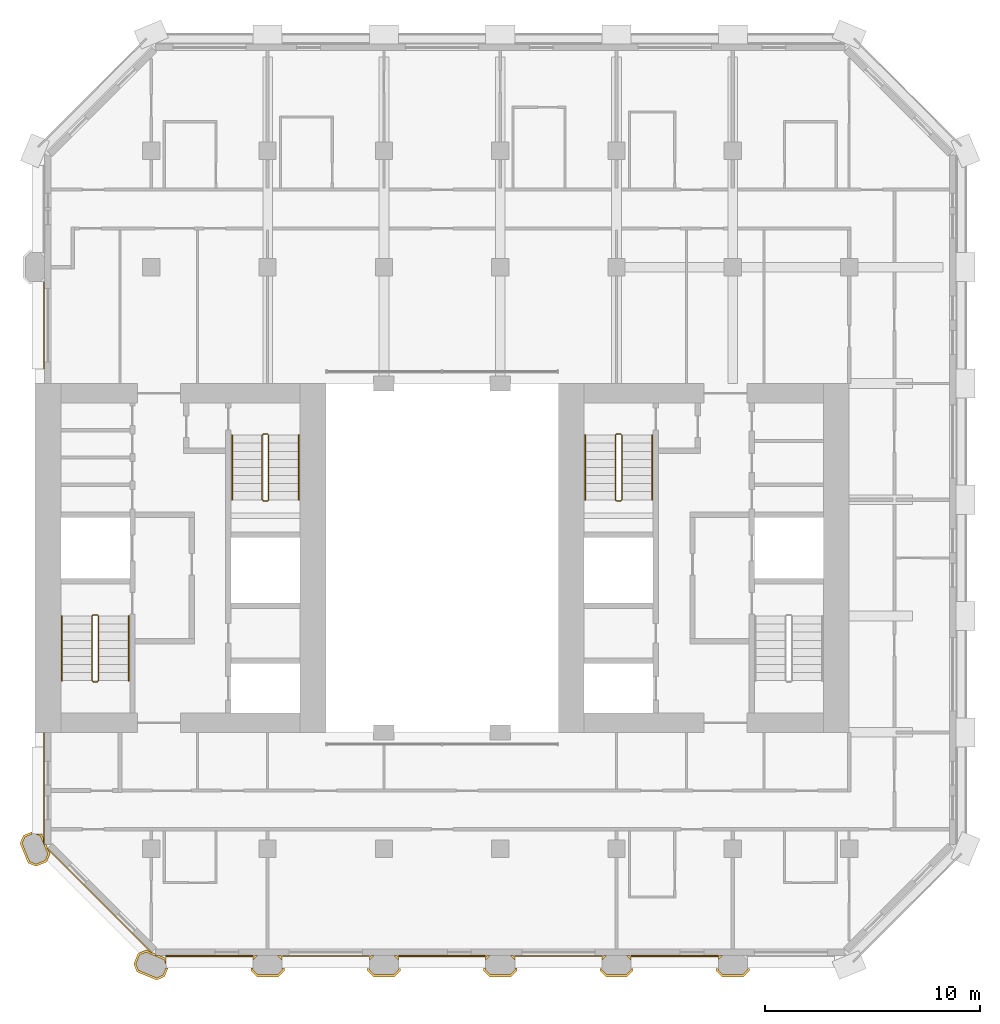
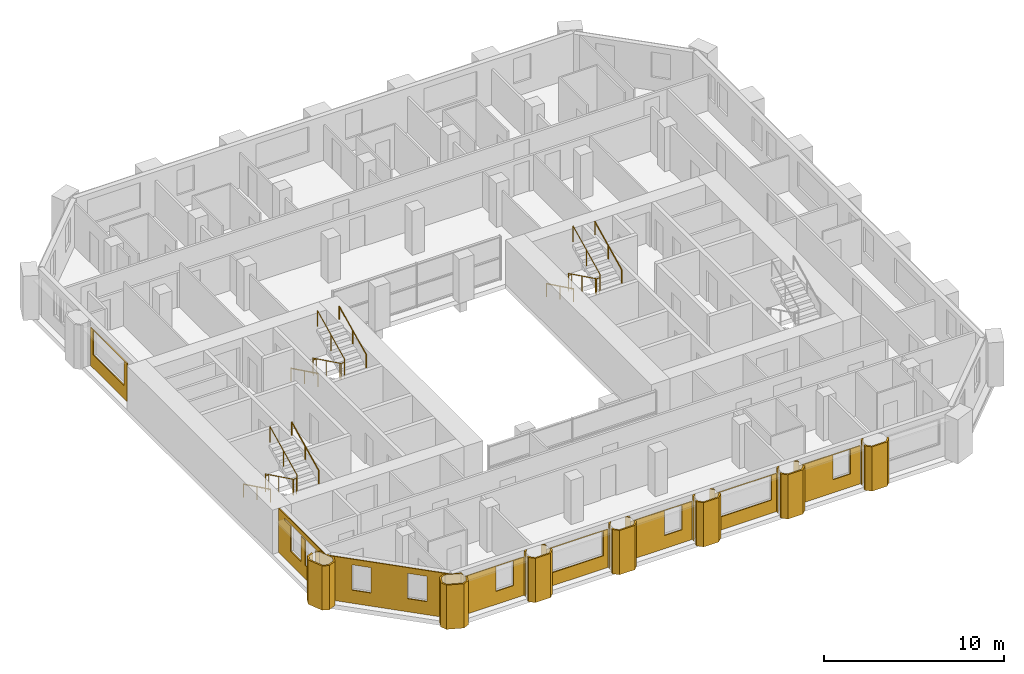
# One storey, part 10 of 12: 24 coverings, 9 railings.
"""IFC4 building model written with IfcOpenShell, lengths in metres."""

from ifc_helpers import new_model, si_unit, direction, frame, origin, origin_2d, place, context, subcontext, project, spatial, polyline, circle, outline, extrude, material, layer, layer_set, type_object, element, save


model = new_model("IFC4")

# Units and contexts
model_context = context("Model", 3, precision=1e-05, world=origin(), true_north=direction((0.0, 1.0)))
body_context = subcontext(model_context, "Body", "Model", "MODEL_VIEW")
ifc_project = project(units=[si_unit("LENGTHUNIT", "METRE"), si_unit("AREAUNIT", "SQUARE_METRE"), si_unit("VOLUMEUNIT", "CUBIC_METRE"), si_unit("PLANEANGLEUNIT", "RADIAN"), si_unit("MASSUNIT", "GRAM", prefix="KILO")], contexts=[model_context])

# Site, building, storey
site_placement = place(None, origin())
site = spatial("IfcSite", under=ifc_project, at=site_placement, CompositionType="ELEMENT")
building_placement = place(site_placement, origin())
building = spatial("IfcBuilding", under=site, at=building_placement, Name="Tabaq Tower and Sports Hall", CompositionType="ELEMENT")
storey_placement = place(building_placement, frame((0.0, 0.0, 197.199951171875)))
storey = spatial("IfcBuildingStorey", under=building, at=storey_placement, Name="L48", CompositionType="ELEMENT", Elevation=197.199951171875)

# Coverings
ifc_material_1 = material(Name="Precast concrete C60/75", Category="concrete")
ifc_layer_1 = layer(ifc_material_1, 0.10009765625)
ifc_layer_set_1 = layer_set([ifc_layer_1], Name="Column cladding 100")
covering_type_1 = type_object("IfcCoveringType", Name="Column cladding 100", PredefinedType="CLADDING", material=ifc_layer_set_1)
covering_1_placement = place(storey_placement, origin())
element("IfcCovering", 1, at=covering_1_placement, inside=storey, type_object=covering_type_1, Name="Column cladding L48 PC-2C-H2", PredefinedType="CLADDING", context=body_context, shape_type="SweptSolid", body=[
    extrude(outline(polyline([(5.450439453125, 9.982421875), (5.080078125, 10.1357421875), (4.7041015625, 11.04345703125), (4.857421875, 11.413818359375), (5.249755859375, 11.576171875), (5.249755859375, 11.474609375), (5.26416015625, 11.474609375), (4.93359375, 11.337646484375), (4.811767578125, 11.04345703125), (5.15625, 10.2119140625), (5.450439453125, 10.08984375), (5.866455078125, 10.26220703125), (5.98828125, 10.556396484375), (5.643798828125, 11.38818359375), (5.434814453125, 11.474609375), (5.694580078125, 11.474609375), (5.7197265625, 11.46435546875), (5.789794921875, 11.295654296875), (5.789794921875, 11.04296875), (5.849609375, 11.04296875), (5.849609375, 10.986083984375), (5.91796875, 10.986083984375), (5.9814453125, 10.83251953125), (5.9501953125, 10.801025390625), (6.026123046875, 10.72509765625), (6.095947265625, 10.556396484375), (5.9423828125, 10.186279296875), (5.450439453125, 9.982421875)])), origin(), (0.0, 0.0, 1.0), 3.0),
])
covering_2_placement = place(storey_placement, origin())
element("IfcCovering", 2, at=covering_2_placement, inside=storey, type_object=covering_type_1, Name="Column cladding L48 PC-3B-H2", PredefinedType="CLADDING", context=body_context, shape_type="SweptSolid", body=[
    extrude(outline(polyline([(11.413818359375, 4.857421875), (11.04345703125, 4.7041015625), (10.1357421875, 5.080078125), (9.982421875, 5.450439453125), (10.186279296875, 5.9423828125), (10.556396484375, 6.095947265625), (10.72509765625, 6.026123046875), (10.801025390625, 5.9501953125), (10.83251953125, 5.9814453125), (10.986083984375, 5.91796875), (10.986083984375, 5.849609375), (11.15087890625, 5.849609375), (11.46435546875, 5.7197265625), (11.474609375, 5.694580078125), (11.474609375, 5.434814453125), (11.38818359375, 5.643798828125), (10.556396484375, 5.98828125), (10.26220703125, 5.866455078125), (10.08984375, 5.450439453125), (10.2119140625, 5.15625), (11.04345703125, 4.811767578125), (11.337646484375, 4.93359375), (11.474609375, 5.26416015625), (11.474609375, 5.249755859375), (11.576171875, 5.249755859375), (11.413818359375, 4.857421875)])), origin(), (0.0, 0.0, 1.0), 3.0),
])
covering_3_placement = place(storey_placement, origin())
element("IfcCovering", 3, at=covering_3_placement, inside=storey, type_object=covering_type_1, Name="Column cladding L48 PC-4B-H2", PredefinedType="CLADDING", context=body_context, shape_type="SweptSolid", body=[
    extrude(outline(polyline([(15.42529296875, 5.249755859375), (15.524658203125, 5.249755859375), (15.524658203125, 5.1748046875), (15.749755859375, 4.94970703125), (16.650146484375, 4.94970703125), (16.875244140625, 5.1748046875), (16.875244140625, 5.249755859375), (16.974609375, 5.249755859375), (16.974609375, 5.1337890625), (16.69140625, 4.850341796875), (15.708740234375, 4.850341796875), (15.42529296875, 5.1337890625), (15.42529296875, 5.249755859375)])), origin(), (0.0, 0.0, 1.0), 3.0),
])
covering_4_placement = place(storey_placement, origin())
element("IfcCovering", 4, at=covering_4_placement, inside=storey, type_object=covering_type_1, Name="Column cladding L48 PC-4B-H2 2", PredefinedType="CLADDING", context=body_context, shape_type="SweptSolid", body=[
    extrude(outline(polyline([(16.874755859375, 5.766357421875), (16.874755859375, 5.625732421875), (16.650634765625, 5.849609375), (16.791259765625, 5.849609375), (16.874755859375, 5.766357421875)])), origin(), (0.0, 0.0, 1.0), 3.0),
])
covering_5_placement = place(storey_placement, origin())
element("IfcCovering", 5, at=covering_5_placement, inside=storey, type_object=covering_type_1, Name="Column cladding L48 PC-4B-H2 3", PredefinedType="CLADDING", context=body_context, shape_type="SweptSolid", body=[
    extrude(outline(polyline([(15.608642578125, 5.849609375), (15.749267578125, 5.849609375), (15.525390625, 5.625732421875), (15.525390625, 5.766357421875), (15.608642578125, 5.849609375)])), origin(), (0.0, 0.0, 1.0), 3.0),
])
covering_6_placement = place(storey_placement, origin())
element("IfcCovering", 6, at=covering_6_placement, inside=storey, type_object=covering_type_1, Name="Column cladding L48 PC-5B-H2", PredefinedType="CLADDING", context=body_context, shape_type="SweptSolid", body=[
    extrude(outline(polyline([(20.82568359375, 5.24951171875), (20.92431640625, 5.24951171875), (20.92431640625, 5.1748046875), (21.149658203125, 4.949462890625), (22.05029296875, 4.949462890625), (22.275634765625, 5.1748046875), (22.275634765625, 5.24951171875), (22.37451171875, 5.24951171875), (22.37451171875, 5.1337890625), (22.091064453125, 4.8505859375), (21.10888671875, 4.8505859375), (20.82568359375, 5.1337890625), (20.82568359375, 5.24951171875)])), origin(), (0.0, 0.0, 1.0), 3.0),
])
covering_7_placement = place(storey_placement, origin())
element("IfcCovering", 7, at=covering_7_placement, inside=storey, type_object=covering_type_1, Name="Column cladding L48 PC-5B-H2 2", PredefinedType="CLADDING", context=body_context, shape_type="SweptSolid", body=[
    extrude(outline(polyline([(22.274658203125, 5.766357421875), (22.274658203125, 5.625732421875), (22.05078125, 5.849609375), (22.19140625, 5.849609375), (22.274658203125, 5.766357421875)])), origin(), (0.0, 0.0, 1.0), 3.0),
])
covering_8_placement = place(storey_placement, origin())
element("IfcCovering", 8, at=covering_8_placement, inside=storey, type_object=covering_type_1, Name="Column cladding L48 PC-5B-H2 3", PredefinedType="CLADDING", context=body_context, shape_type="SweptSolid", body=[
    extrude(outline(polyline([(20.925537109375, 5.62646484375), (20.925537109375, 5.76611328125), (21.0087890625, 5.849365234375), (21.1484375, 5.849365234375), (20.925537109375, 5.62646484375)])), origin(), (0.0, 0.0, 1.0), 3.0),
])
covering_9_placement = place(storey_placement, origin())
element("IfcCovering", 9, at=covering_9_placement, inside=storey, type_object=covering_type_1, Name="Column cladding L48 PC-6B-H2", PredefinedType="CLADDING", context=body_context, shape_type="SweptSolid", body=[
    extrude(outline(polyline([(26.225341796875, 5.249755859375), (26.32470703125, 5.249755859375), (26.32470703125, 5.1748046875), (26.5498046875, 4.94970703125), (27.4501953125, 4.94970703125), (27.67529296875, 5.1748046875), (27.67529296875, 5.249755859375), (27.774658203125, 5.249755859375), (27.774658203125, 5.1337890625), (27.4912109375, 4.850341796875), (26.5087890625, 4.850341796875), (26.225341796875, 5.1337890625), (26.225341796875, 5.249755859375)])), origin(), (0.0, 0.0, 1.0), 3.0),
])
covering_10_placement = place(storey_placement, origin())
element("IfcCovering", 10, at=covering_10_placement, inside=storey, type_object=covering_type_1, Name="Column cladding L48 PC-6B-H2 2", PredefinedType="CLADDING", context=body_context, shape_type="SweptSolid", body=[
    extrude(outline(polyline([(26.40869140625, 5.849609375), (26.54931640625, 5.849609375), (26.3251953125, 5.625732421875), (26.3251953125, 5.766357421875), (26.40869140625, 5.849609375)])), origin(), (0.0, 0.0, 1.0), 3.0),
])
covering_11_placement = place(storey_placement, origin())
element("IfcCovering", 11, at=covering_11_placement, inside=storey, type_object=covering_type_1, Name="Column cladding L48 PC-6B-H2 3", PredefinedType="CLADDING", context=body_context, shape_type="SweptSolid", body=[
    extrude(outline(polyline([(27.6748046875, 5.766357421875), (27.6748046875, 5.625732421875), (27.45068359375, 5.849609375), (27.59130859375, 5.849609375), (27.6748046875, 5.766357421875)])), origin(), (0.0, 0.0, 1.0), 3.0),
])
covering_12_placement = place(storey_placement, origin())
element("IfcCovering", 12, at=covering_12_placement, inside=storey, type_object=covering_type_1, Name="Column cladding L48 PC-7B-H2", PredefinedType="CLADDING", context=body_context, shape_type="SweptSolid", body=[
    extrude(outline(polyline([(31.62548828125, 5.24951171875), (31.724365234375, 5.24951171875), (31.724365234375, 5.1748046875), (31.94970703125, 4.949462890625), (32.850341796875, 4.949462890625), (33.07568359375, 5.1748046875), (33.07568359375, 5.24951171875), (33.17431640625, 5.24951171875), (33.17431640625, 5.1337890625), (32.89111328125, 4.8505859375), (31.908935546875, 4.8505859375), (31.62548828125, 5.1337890625), (31.62548828125, 5.24951171875)])), origin(), (0.0, 0.0, 1.0), 3.0),
])
covering_13_placement = place(storey_placement, origin())
element("IfcCovering", 13, at=covering_13_placement, inside=storey, type_object=covering_type_1, Name="Column cladding L48 PC-7B-H2 2", PredefinedType="CLADDING", context=body_context, shape_type="SweptSolid", body=[
    extrude(outline(polyline([(31.80859375, 5.849609375), (31.94921875, 5.849609375), (31.725341796875, 5.625732421875), (31.725341796875, 5.766357421875), (31.80859375, 5.849609375)])), origin(), (0.0, 0.0, 1.0), 3.0),
])
covering_14_placement = place(storey_placement, origin())
element("IfcCovering", 14, at=covering_14_placement, inside=storey, type_object=covering_type_1, Name="Column cladding L48 PC-7B-H2 3", PredefinedType="CLADDING", context=body_context, shape_type="SweptSolid", body=[
    extrude(outline(polyline([(33.074462890625, 5.62646484375), (32.8515625, 5.849365234375), (32.9912109375, 5.849365234375), (33.074462890625, 5.76611328125), (33.074462890625, 5.62646484375)])), origin(), (0.0, 0.0, 1.0), 3.0),
])
covering_15_placement = place(storey_placement, origin())
element("IfcCovering", 15, at=covering_15_placement, inside=storey, type_object=covering_type_1, Name="Column cladding L48 PC-8B-H2", PredefinedType="CLADDING", context=body_context, shape_type="SweptSolid", body=[
    extrude(outline(polyline([(37.025634765625, 5.24951171875), (37.12451171875, 5.24951171875), (37.12451171875, 5.1748046875), (37.349853515625, 4.949462890625), (38.250244140625, 4.949462890625), (38.4755859375, 5.1748046875), (38.4755859375, 5.24951171875), (38.574462890625, 5.24951171875), (38.574462890625, 5.1337890625), (38.291259765625, 4.8505859375), (37.308837890625, 4.8505859375), (37.025634765625, 5.1337890625), (37.025634765625, 5.24951171875)])), origin(), (0.0, 0.0, 1.0), 3.0),
])
covering_16_placement = place(storey_placement, origin())
element("IfcCovering", 16, at=covering_16_placement, inside=storey, type_object=covering_type_1, Name="Column cladding L48 PC-8B-H2 2", PredefinedType="CLADDING", context=body_context, shape_type="SweptSolid", body=[
    extrude(outline(polyline([(37.208740234375, 5.849609375), (37.349365234375, 5.849609375), (37.125244140625, 5.625732421875), (37.125244140625, 5.766357421875), (37.208740234375, 5.849609375)])), origin(), (0.0, 0.0, 1.0), 3.0),
])

# Railings
ifc_material_2 = material(Name="Stainless steel", Category="steel")
railing_type_1 = type_object("IfcRailingType", Name="Stair guard", PredefinedType="GUARDRAIL", material=ifc_material_2)
railing_1_placement = place(storey_placement, frame((8.300048828125, 21.64990234375, 0.0)))
element("IfcRailing", 17, at=railing_1_placement, inside=storey, type_object=railing_type_1, Name="L48 ST1 stair guard 1", PredefinedType="GUARDRAIL", context=body_context, shape_type="SweptSolid", body=[
    extrude(circle(Radius=0.02392578125, at=origin_2d()), frame((0.0, 0.0, 1.076171875), z_axis=(-1.0, 0.0, 0.0), x_axis=(0.0, -1.0, 0.0)), (0.0, 0.0, 1.0), 0.199951171875),
    extrude(circle(Radius=0.02392578125, at=origin_2d()), frame((-0.199951171875, 0.0, 1.076171875), z_axis=(-0.254733673405, -0.25349107012, 0.933195066962), x_axis=(0.705375805398, -0.708833529934, 0.0)), (0.0, 0.0, 1.0), 0.196533203125),
    extrude(circle(Radius=0.02392578125, at=origin_2d()), frame((-0.25, -0.0498046875, 1.25927734375), z_axis=(0.0, -0.898368975038, 0.439241601728), x_axis=(1.0, 0.0, 0.0)), (0.0, 0.0, 1.0), 3.33935546875),
    extrude(circle(Radius=0.02392578125, at=origin_2d()), frame((-0.25, -3.0498046875, 2.72607421875), z_axis=(0.707106781187, -0.707106781187, 0.0), x_axis=(0.707106781187, 0.707106781187, 0.0)), (0.0, 0.0, 1.0), 0.07080078125),
    extrude(circle(Radius=0.02392578125, at=origin_2d()), frame((-0.199951171875, -3.099853515625, 2.72607421875), z_axis=(1.0, 0.0, 0.0), x_axis=(0.0, 1.0, 0.0)), (0.0, 0.0, 1.0), 0.199951171875),
    extrude(circle(Radius=0.02392578125, at=origin_2d()), frame((0.0, -3.099853515625, 2.72607421875), z_axis=(0.254653276557, 0.254653276557, 0.932900539971), x_axis=(-0.707106781187, 0.707106781187, 0.0)), (0.0, 0.0, 1.0), 0.196533203125),
    extrude(circle(Radius=0.02392578125, at=origin_2d()), frame((0.050048828125, -3.0498046875, 2.90966796875), z_axis=(0.0, 0.898397823093, 0.439182594671), x_axis=(-1.0, 0.0, 0.0)), (0.0, 0.0, 1.0), 3.33935546875),
    extrude(circle(Radius=0.02099609375, at=origin_2d()), origin(), (0.0, 0.0, 1.0), 1.052001953125),
    extrude(circle(Radius=0.02099609375, at=origin_2d()), frame((-0.199951171875, 0.0, 0.0)), (0.0, 0.0, 1.0), 1.052001953125),
    extrude(circle(Radius=0.02099609375, at=origin_2d()), frame((-0.25, -0.0498046875, 0.183349609375)), (0.0, 0.0, 1.0), 1.052001953125),
    extrude(circle(Radius=0.02099609375, at=origin_2d()), frame((-0.25, -1.5498046875, 0.916748046875)), (0.0, 0.0, 1.0), 1.052001953125),
    extrude(circle(Radius=0.02099609375, at=origin_2d()), frame((-0.25, -3.0498046875, 1.650146484375)), (0.0, 0.0, 1.0), 1.052001953125),
    extrude(circle(Radius=0.02099609375, at=origin_2d()), frame((-0.199951171875, -3.099853515625, 1.650146484375)), (0.0, 0.0, 1.0), 1.052001953125),
    extrude(circle(Radius=0.02099609375, at=origin_2d()), frame((0.0, -3.099853515625, 1.650146484375)), (0.0, 0.0, 1.0), 1.052001953125),
    extrude(circle(Radius=0.02099609375, at=origin_2d()), frame((0.050048828125, -3.0498046875, 1.83349609375)), (0.0, 0.0, 1.0), 1.052001953125),
    extrude(circle(Radius=0.02099609375, at=origin_2d()), frame((0.050048828125, -1.5498046875, 2.56689453125)), (0.0, 0.0, 1.0), 1.052001953125),
    extrude(circle(Radius=0.02099609375, at=origin_2d()), frame((0.050048828125, -0.0498046875, 3.300048828125)), (0.0, 0.0, 1.0), 1.052001953125),
])
railing_2_placement = place(storey_placement, frame((16.199951171875, 30.050048828125, 0.0)))
element("IfcRailing", 18, at=railing_2_placement, inside=storey, type_object=railing_type_1, Name="L48 ST2 stair guard 1", PredefinedType="GUARDRAIL", context=body_context, shape_type="SweptSolid", body=[
    extrude(circle(Radius=0.02392578125, at=origin_2d()), frame((0.0, 0.0, 1.076171875), z_axis=(-1.0, 0.0, 0.0), x_axis=(0.0, -1.0, 0.0)), (0.0, 0.0, 1.0), 0.199951171875),
    extrude(circle(Radius=0.02392578125, at=origin_2d()), frame((-0.199951171875, 0.0, 1.076171875), z_axis=(-0.254653276557, -0.254653276557, 0.932900539971), x_axis=(0.707106781187, -0.707106781187, 0.0)), (0.0, 0.0, 1.0), 0.196533203125),
    extrude(circle(Radius=0.02392578125, at=origin_2d()), frame((-0.25, -0.050048828125, 1.25927734375), z_axis=(0.0, -0.898368975038, 0.439241601728), x_axis=(1.0, 0.0, 0.0)), (0.0, 0.0, 1.0), 3.33935546875),
    extrude(circle(Radius=0.02392578125, at=origin_2d()), frame((-0.25, -3.050048828125, 2.72607421875), z_axis=(0.707106781187, -0.707106781187, 0.0), x_axis=(0.707106781187, 0.707106781187, 0.0)), (0.0, 0.0, 1.0), 0.07080078125),
    extrude(circle(Radius=0.02392578125, at=origin_2d()), frame((-0.199951171875, -3.10009765625, 2.72607421875), z_axis=(1.0, 0.0, 0.0), x_axis=(0.0, 1.0, 0.0)), (0.0, 0.0, 1.0), 0.199951171875),
    extrude(circle(Radius=0.02392578125, at=origin_2d()), frame((0.0, -3.10009765625, 2.72607421875), z_axis=(0.254653276557, 0.254653276557, 0.932900539971), x_axis=(-0.707106781187, 0.707106781187, 0.0)), (0.0, 0.0, 1.0), 0.196533203125),
    extrude(circle(Radius=0.02392578125, at=origin_2d()), frame((0.050048828125, -3.050048828125, 2.90966796875), z_axis=(0.0, 0.898397823093, 0.439182594671), x_axis=(-1.0, 0.0, 0.0)), (0.0, 0.0, 1.0), 3.33935546875),
    extrude(circle(Radius=0.02099609375, at=origin_2d()), origin(), (0.0, 0.0, 1.0), 1.052001953125),
    extrude(circle(Radius=0.02099609375, at=origin_2d()), frame((-0.199951171875, 0.0, 0.0)), (0.0, 0.0, 1.0), 1.052001953125),
    extrude(circle(Radius=0.02099609375, at=origin_2d()), frame((-0.25, -0.050048828125, 0.183349609375)), (0.0, 0.0, 1.0), 1.052001953125),
    extrude(circle(Radius=0.02099609375, at=origin_2d()), frame((-0.25, -1.550048828125, 0.916748046875)), (0.0, 0.0, 1.0), 1.052001953125),
    extrude(circle(Radius=0.02099609375, at=origin_2d()), frame((-0.25, -3.050048828125, 1.650146484375)), (0.0, 0.0, 1.0), 1.052001953125),
    extrude(circle(Radius=0.02099609375, at=origin_2d()), frame((-0.199951171875, -3.10009765625, 1.650146484375)), (0.0, 0.0, 1.0), 1.052001953125),
    extrude(circle(Radius=0.02099609375, at=origin_2d()), frame((0.0, -3.10009765625, 1.650146484375)), (0.0, 0.0, 1.0), 1.052001953125),
    extrude(circle(Radius=0.02099609375, at=origin_2d()), frame((0.050048828125, -3.050048828125, 1.83349609375)), (0.0, 0.0, 1.0), 1.052001953125),
    extrude(circle(Radius=0.02099609375, at=origin_2d()), frame((0.050048828125, -1.550048828125, 2.56689453125)), (0.0, 0.0, 1.0), 1.052001953125),
    extrude(circle(Radius=0.02099609375, at=origin_2d()), frame((0.050048828125, -0.050048828125, 3.300048828125)), (0.0, 0.0, 1.0), 1.052001953125),
])
railing_3_placement = place(storey_placement, frame((32.60009765625, 30.050048828125, 0.0)))
element("IfcRailing", 19, at=railing_3_placement, inside=storey, type_object=railing_type_1, Name="L48 ST4 stair guard 1", PredefinedType="GUARDRAIL", context=body_context, shape_type="SweptSolid", body=[
    extrude(circle(Radius=0.02392578125, at=origin_2d()), frame((0.0, 0.0, 1.076171875), z_axis=(-1.0, 0.0, 0.0), x_axis=(0.0, -1.0, 0.0)), (0.0, 0.0, 1.0), 0.2001953125),
    extrude(circle(Radius=0.02392578125, at=origin_2d()), frame((-0.2001953125, 0.0, 1.076171875), z_axis=(-0.25349107012, -0.254733673405, 0.933195066962), x_axis=(0.708833529934, -0.705375805398, 0.0)), (0.0, 0.0, 1.0), 0.196533203125),
    extrude(circle(Radius=0.02392578125, at=origin_2d()), frame((-0.25, -0.050048828125, 1.25927734375), z_axis=(0.0, -0.898368975038, 0.439241601728), x_axis=(1.0, 0.0, 0.0)), (0.0, 0.0, 1.0), 3.33935546875),
    extrude(circle(Radius=0.02392578125, at=origin_2d()), frame((-0.25, -3.050048828125, 2.72607421875), z_axis=(0.705375805398, -0.708833529934, 0.0), x_axis=(0.708833529934, 0.705375805398, 0.0)), (0.0, 0.0, 1.0), 0.070556640625),
    extrude(circle(Radius=0.02392578125, at=origin_2d()), frame((-0.2001953125, -3.10009765625, 2.72607421875), z_axis=(1.0, 0.0, 0.0), x_axis=(0.0, 1.0, 0.0)), (0.0, 0.0, 1.0), 0.2001953125),
    extrude(circle(Radius=0.02392578125, at=origin_2d()), frame((0.0, -3.10009765625, 2.72607421875), z_axis=(0.25349107012, 0.254733673405, 0.933195066962), x_axis=(-0.708833529934, 0.705375805398, 0.0)), (0.0, 0.0, 1.0), 0.196533203125),
    extrude(circle(Radius=0.02392578125, at=origin_2d()), frame((0.0498046875, -3.050048828125, 2.90966796875), z_axis=(0.0, 0.898397823093, 0.439182594671), x_axis=(-1.0, 0.0, 0.0)), (0.0, 0.0, 1.0), 3.33935546875),
    extrude(circle(Radius=0.02099609375, at=origin_2d()), origin(), (0.0, 0.0, 1.0), 1.052001953125),
    extrude(circle(Radius=0.02099609375, at=origin_2d()), frame((-0.2001953125, 0.0, 0.0)), (0.0, 0.0, 1.0), 1.052001953125),
    extrude(circle(Radius=0.02099609375, at=origin_2d()), frame((-0.25, -0.050048828125, 0.183349609375)), (0.0, 0.0, 1.0), 1.052001953125),
    extrude(circle(Radius=0.02099609375, at=origin_2d()), frame((-0.25, -1.550048828125, 0.916748046875)), (0.0, 0.0, 1.0), 1.052001953125),
    extrude(circle(Radius=0.02099609375, at=origin_2d()), frame((-0.25, -3.050048828125, 1.650146484375)), (0.0, 0.0, 1.0), 1.052001953125),
    extrude(circle(Radius=0.02099609375, at=origin_2d()), frame((-0.2001953125, -3.10009765625, 1.650146484375)), (0.0, 0.0, 1.0), 1.052001953125),
    extrude(circle(Radius=0.02099609375, at=origin_2d()), frame((0.0, -3.10009765625, 1.650146484375)), (0.0, 0.0, 1.0), 1.052001953125),
    extrude(circle(Radius=0.02099609375, at=origin_2d()), frame((0.0498046875, -3.050048828125, 1.83349609375)), (0.0, 0.0, 1.0), 1.052001953125),
    extrude(circle(Radius=0.02099609375, at=origin_2d()), frame((0.0498046875, -1.550048828125, 2.56689453125)), (0.0, 0.0, 1.0), 1.052001953125),
    extrude(circle(Radius=0.02099609375, at=origin_2d()), frame((0.0498046875, -0.050048828125, 3.300048828125)), (0.0, 0.0, 1.0), 1.052001953125),
])
ifc_material_3 = material(Name="Stainless steel", Category="steel")
railing_type_2 = type_object("IfcRailingType", Name="Stair handrail", PredefinedType="HANDRAIL", material=ifc_material_3)
railing_4_placement = place(storey_placement, frame((6.64990234375, 21.60009765625, 0.183349609375)))
element("IfcRailing", 20, at=railing_4_placement, inside=storey, type_object=railing_type_2, Name="L48 ST1 stair handrail 1", PredefinedType="HANDRAIL", context=body_context, shape_type="SweptSolid", body=[
    extrude(circle(Radius=0.02392578125, at=origin_2d()), frame((0.0, 0.0, 0.8759765625), z_axis=(0.0, -0.898368975038, 0.439241601728), x_axis=(1.0, 0.0, 0.0)), (0.0, 0.0, 1.0), 3.33935546875),
    extrude(circle(Radius=0.02099609375, at=origin_2d()), origin(), (0.0, 0.0, 1.0), 0.851806640625),
    extrude(circle(Radius=0.02099609375, at=origin_2d()), frame((0.0, -1.5, 0.7333984375)), (0.0, 0.0, 1.0), 0.851806640625),
    extrude(circle(Radius=0.02099609375, at=origin_2d()), frame((0.0, -3.0, 1.466796875)), (0.0, 0.0, 1.0), 0.851806640625),
])
railing_5_placement = place(storey_placement, frame((9.75, 18.60009765625, 1.83349609375)))
element("IfcRailing", 21, at=railing_5_placement, inside=storey, type_object=railing_type_2, Name="L48 ST1 stair handrail 2", PredefinedType="HANDRAIL", context=body_context, shape_type="SweptSolid", body=[
    extrude(circle(Radius=0.02392578125, at=origin_2d()), frame((0.0, 0.0, 0.8759765625), z_axis=(0.0, 0.898397823093, 0.439182594671), x_axis=(-1.0, 0.0, 0.0)), (0.0, 0.0, 1.0), 3.33935546875),
    extrude(circle(Radius=0.02099609375, at=origin_2d()), origin(), (0.0, 0.0, 1.0), 0.851806640625),
    extrude(circle(Radius=0.02099609375, at=origin_2d()), frame((0.0, 1.5, 0.7333984375)), (0.0, 0.0, 1.0), 0.851806640625),
    extrude(circle(Radius=0.02099609375, at=origin_2d()), frame((0.0, 3.0, 1.466552734375)), (0.0, 0.0, 1.0), 0.851806640625),
])
railing_6_placement = place(storey_placement, frame((14.550048828125, 30.0, 0.183349609375)))
element("IfcRailing", 22, at=railing_6_placement, inside=storey, type_object=railing_type_2, Name="L48 ST2 stair handrail 1", PredefinedType="HANDRAIL", context=body_context, shape_type="SweptSolid", body=[
    extrude(circle(Radius=0.02392578125, at=origin_2d()), frame((0.0, 0.0, 0.8759765625), z_axis=(0.0, -0.898368975038, 0.439241601728), x_axis=(1.0, 0.0, 0.0)), (0.0, 0.0, 1.0), 3.33935546875),
    extrude(circle(Radius=0.02099609375, at=origin_2d()), origin(), (0.0, 0.0, 1.0), 0.851806640625),
    extrude(circle(Radius=0.02099609375, at=origin_2d()), frame((0.0, -1.5, 0.7333984375)), (0.0, 0.0, 1.0), 0.851806640625),
    extrude(circle(Radius=0.02099609375, at=origin_2d()), frame((0.0, -3.0, 1.466796875)), (0.0, 0.0, 1.0), 0.851806640625),
])
railing_7_placement = place(storey_placement, frame((17.64990234375, 27.0, 1.83349609375)))
element("IfcRailing", 23, at=railing_7_placement, inside=storey, type_object=railing_type_2, Name="L48 ST2 stair handrail 2", PredefinedType="HANDRAIL", context=body_context, shape_type="SweptSolid", body=[
    extrude(circle(Radius=0.02392578125, at=origin_2d()), frame((0.0, 0.0, 0.8759765625), z_axis=(0.0, 0.898397823093, 0.439182594671), x_axis=(-1.0, 0.0, 0.0)), (0.0, 0.0, 1.0), 3.33935546875),
    extrude(circle(Radius=0.02099609375, at=origin_2d()), origin(), (0.0, 0.0, 1.0), 0.851806640625),
    extrude(circle(Radius=0.02099609375, at=origin_2d()), frame((0.0, 1.5, 0.7333984375)), (0.0, 0.0, 1.0), 0.851806640625),
    extrude(circle(Radius=0.02099609375, at=origin_2d()), frame((0.0, 3.0, 1.466552734375)), (0.0, 0.0, 1.0), 0.851806640625),
])
railing_8_placement = place(storey_placement, frame((30.949951171875, 30.0, 0.183349609375)))
element("IfcRailing", 24, at=railing_8_placement, inside=storey, type_object=railing_type_2, Name="L48 ST4 stair handrail 1", PredefinedType="HANDRAIL", context=body_context, shape_type="SweptSolid", body=[
    extrude(circle(Radius=0.02392578125, at=origin_2d()), frame((0.0, 0.0, 0.8759765625), z_axis=(0.0, -0.898368975038, 0.439241601728), x_axis=(1.0, 0.0, 0.0)), (0.0, 0.0, 1.0), 3.33935546875),
    extrude(circle(Radius=0.02099609375, at=origin_2d()), origin(), (0.0, 0.0, 1.0), 0.851806640625),
    extrude(circle(Radius=0.02099609375, at=origin_2d()), frame((0.0, -1.5, 0.7333984375)), (0.0, 0.0, 1.0), 0.851806640625),
    extrude(circle(Radius=0.02099609375, at=origin_2d()), frame((0.0, -3.0, 1.466796875)), (0.0, 0.0, 1.0), 0.851806640625),
])
railing_9_placement = place(storey_placement, frame((34.050048828125, 27.0, 1.83349609375)))
element("IfcRailing", 25, at=railing_9_placement, inside=storey, type_object=railing_type_2, Name="L48 ST4 stair handrail 2", PredefinedType="HANDRAIL", context=body_context, shape_type="SweptSolid", body=[
    extrude(circle(Radius=0.02392578125, at=origin_2d()), frame((0.0, 0.0, 0.8759765625), z_axis=(0.0, 0.898397823093, 0.439182594671), x_axis=(-1.0, 0.0, 0.0)), (0.0, 0.0, 1.0), 3.33935546875),
    extrude(circle(Radius=0.02099609375, at=origin_2d()), origin(), (0.0, 0.0, 1.0), 0.851806640625),
    extrude(circle(Radius=0.02099609375, at=origin_2d()), frame((0.0, 1.5, 0.7333984375)), (0.0, 0.0, 1.0), 0.851806640625),
    extrude(circle(Radius=0.02099609375, at=origin_2d()), frame((0.0, 3.0, 1.466552734375)), (0.0, 0.0, 1.0), 0.851806640625),
])

# Coverings
ifc_material_4 = material(Name="Precast concrete C60/75", Category="concrete")
ifc_layer_2 = layer(ifc_material_4, 0.06005859375)
ifc_layer_set_2 = layer_set([ifc_layer_2], Name="White precast cladding panel 60 C60/75")
covering_type_2 = type_object("IfcCoveringType", Name="White precast cladding panel 60 C60/75", PredefinedType="CLADDING", material=ifc_layer_set_2)
covering_17_placement = place(storey_placement, frame((11.465087890625, 5.820068359375, 0.0), z_axis=(0.0, 0.0, 1.0), x_axis=(1.0, 0.0, 0.0)))
element("IfcCovering", 26, at=covering_17_placement, inside=storey, type_object=covering_type_2, Name="White precast cladding panel L48 wall00", PredefinedType="CLADDING", context=body_context, shape_type="SweptSolid", body=[
    extrude(outline(polyline([(0.0, 0.0), (4.0498046875, 0.0), (4.0498046875, 2.590087890625), (0.0, 2.590087890625), (0.0, 0.0)]), holes=[polyline([(3.39501953125, 0.89013671875), (2.27490234375, 0.89013671875), (2.27490234375, 2.56005859375), (3.39501953125, 2.56005859375), (3.39501953125, 0.89013671875)])]), frame((0.0, 0.030029296875, 0.0), z_axis=(0.0, -1.0, 0.0), x_axis=(1.0, 0.0, 0.0)), (0.0, 0.0, 1.0), 0.06005859375),
])
covering_18_placement = place(storey_placement, frame((16.885009765625, 5.820068359375, 0.0), z_axis=(0.0, 0.0, 1.0), x_axis=(1.0, 0.0, 0.0)))
element("IfcCovering", 27, at=covering_18_placement, inside=storey, type_object=covering_type_2, Name="White precast cladding panel L48 wall00 2", PredefinedType="CLADDING", context=body_context, shape_type="SweptSolid", body=[
    extrude(outline(polyline([(0.0, 0.0), (4.030029296875, 0.0), (4.030029296875, 2.590087890625), (0.0, 2.590087890625), (0.0, 0.0)]), holes=[polyline([(3.72509765625, 0.89013671875), (0.304931640625, 0.89013671875), (0.304931640625, 2.56005859375), (3.72509765625, 2.56005859375), (3.72509765625, 0.89013671875)])]), frame((0.0, 0.030029296875, 0.0), z_axis=(0.0, -1.0, 0.0), x_axis=(1.0, 0.0, 0.0)), (0.0, 0.0, 1.0), 0.06005859375),
])
covering_19_placement = place(storey_placement, frame((22.284912109375, 5.820068359375, 0.0), z_axis=(0.0, 0.0, 1.0), x_axis=(1.0, 0.0, 0.0)))
element("IfcCovering", 28, at=covering_19_placement, inside=storey, type_object=covering_type_2, Name="White precast cladding panel L48 wall00 3", PredefinedType="CLADDING", context=body_context, shape_type="SweptSolid", body=[
    extrude(outline(polyline([(0.0, 0.0), (4.030029296875, 0.0), (4.030029296875, 2.590087890625), (0.0, 2.590087890625), (0.0, 0.0)]), holes=[polyline([(3.375, 0.89013671875), (2.2548828125, 0.89013671875), (2.2548828125, 2.56005859375), (3.375, 2.56005859375), (3.375, 0.89013671875)])]), frame((0.0, 0.030029296875, 0.0), z_axis=(0.0, -1.0, 0.0), x_axis=(1.0, 0.0, 0.0)), (0.0, 0.0, 1.0), 0.06005859375),
])
covering_20_placement = place(storey_placement, frame((27.68505859375, 5.820068359375, 0.0), z_axis=(0.0, 0.0, 1.0), x_axis=(1.0, 0.0, 0.0)))
element("IfcCovering", 29, at=covering_20_placement, inside=storey, type_object=covering_type_2, Name="White precast cladding panel L48 wall00 4", PredefinedType="CLADDING", context=body_context, shape_type="SweptSolid", body=[
    extrude(outline(polyline([(0.0, 0.0), (4.030029296875, 0.0), (4.030029296875, 2.590087890625), (0.0, 2.590087890625), (0.0, 0.0)]), holes=[polyline([(3.72509765625, 0.89013671875), (0.304931640625, 0.89013671875), (0.304931640625, 2.56005859375), (3.72509765625, 2.56005859375), (3.72509765625, 0.89013671875)])]), frame((0.0, 0.030029296875, 0.0), z_axis=(0.0, -1.0, 0.0), x_axis=(1.0, 0.0, 0.0)), (0.0, 0.0, 1.0), 0.06005859375),
])
covering_21_placement = place(storey_placement, frame((33.0849609375, 5.820068359375, 0.0), z_axis=(0.0, 0.0, 1.0), x_axis=(1.0, 0.0, 0.0)))
element("IfcCovering", 30, at=covering_21_placement, inside=storey, type_object=covering_type_2, Name="White precast cladding panel L48 wall00 5", PredefinedType="CLADDING", context=body_context, shape_type="SweptSolid", body=[
    extrude(outline(polyline([(0.0, 0.0), (4.030029296875, 0.0), (4.030029296875, 2.590087890625), (0.0, 2.590087890625), (0.0, 0.0)]), holes=[polyline([(3.375, 0.89013671875), (2.2548828125, 0.89013671875), (2.2548828125, 2.56005859375), (3.375, 2.56005859375), (3.375, 0.89013671875)])]), frame((0.0, 0.030029296875, 0.0), z_axis=(0.0, -1.0, 0.0), x_axis=(1.0, 0.0, 0.0)), (0.0, 0.0, 1.0), 0.06005859375),
])
covering_22_placement = place(storey_placement, frame((5.820068359375, 37.114990234375, 0.0), z_axis=(0.0, 0.0, 1.0), x_axis=(0.0, -1.0, 0.0)))
element("IfcCovering", 31, at=covering_22_placement, inside=storey, type_object=covering_type_2, Name="White precast cladding panel L48 wall06 2", PredefinedType="CLADDING", context=body_context, shape_type="SweptSolid", body=[
    extrude(outline(polyline([(0.0, 0.0), (4.050048828125, 0.0), (4.050048828125, 2.590087890625), (0.0, 2.590087890625), (0.0, 0.0)]), holes=[polyline([(3.72509765625, 0.89013671875), (0.304931640625, 0.89013671875), (0.304931640625, 2.56005859375), (3.72509765625, 2.56005859375), (3.72509765625, 0.89013671875)])]), frame((0.0, 0.030029296875, 0.0), z_axis=(0.0, -1.0, 0.0), x_axis=(1.0, 0.0, 0.0)), (0.0, 0.0, 1.0), 0.06005859375),
])
covering_23_placement = place(storey_placement, frame((5.820068359375, 16.199951171875, 0.0), z_axis=(0.0, 0.0, 1.0), x_axis=(0.0, -1.0, 0.0)))
element("IfcCovering", 32, at=covering_23_placement, inside=storey, type_object=covering_type_2, Name="White precast cladding panel L48 wall06-1", PredefinedType="CLADDING", context=body_context, shape_type="SweptSolid", body=[
    extrude(outline(polyline([(0.0, 0.0), (5.15673828125, 0.0), (5.15673828125, 3.0), (0.0, 3.0), (0.0, 0.0)]), holes=[polyline([(1.340087890625, 2.590087890625), (0.6650390625, 2.590087890625), (0.6650390625, 2.7099609375), (4.735107421875, 2.7099609375), (4.735107421875, 2.590087890625), (4.06005859375, 2.590087890625), (4.06005859375, 0.89013671875), (2.93994140625, 0.89013671875), (2.93994140625, 2.590087890625), (2.4599609375, 2.590087890625), (2.4599609375, 0.89013671875), (1.340087890625, 0.89013671875), (1.340087890625, 2.590087890625)])]), frame((0.0, 0.030029296875, 0.0), z_axis=(0.0, -1.0, 0.0), x_axis=(1.0, 0.0, 0.0)), (0.0, 0.0, 1.0), 0.06005859375),
])
covering_24_placement = place(storey_placement, frame((5.9716796875, 10.822265625, 0.0), z_axis=(0.0, 0.0, 1.0), x_axis=(0.707106781187, -0.707106781187, 0.0)))
element("IfcCovering", 33, at=covering_24_placement, inside=storey, type_object=covering_type_2, Name="White precast cladding panel L48 wall07", PredefinedType="CLADDING", context=body_context, shape_type="SweptSolid", body=[
    extrude(outline(polyline([(0.0, 0.0), (6.85986328125, 0.0), (6.85986328125, 3.0), (0.0, 3.0), (0.0, 0.0)]), holes=[polyline([(1.269775390625, 2.610107421875), (2.389892578125, 2.610107421875), (2.389892578125, 0.89013671875), (1.269775390625, 0.89013671875), (1.269775390625, 2.610107421875)]), polyline([(4.4697265625, 2.610107421875), (5.58984375, 2.610107421875), (5.58984375, 0.89013671875), (4.4697265625, 0.89013671875), (4.4697265625, 2.610107421875)])]), frame((0.0, 0.030029296875, 0.0), z_axis=(0.0, -1.0, 0.0), x_axis=(1.0, 0.0, 0.0)), (0.0, 0.0, 1.0), 0.06005859375),
])

save(model, "model.ifc")
